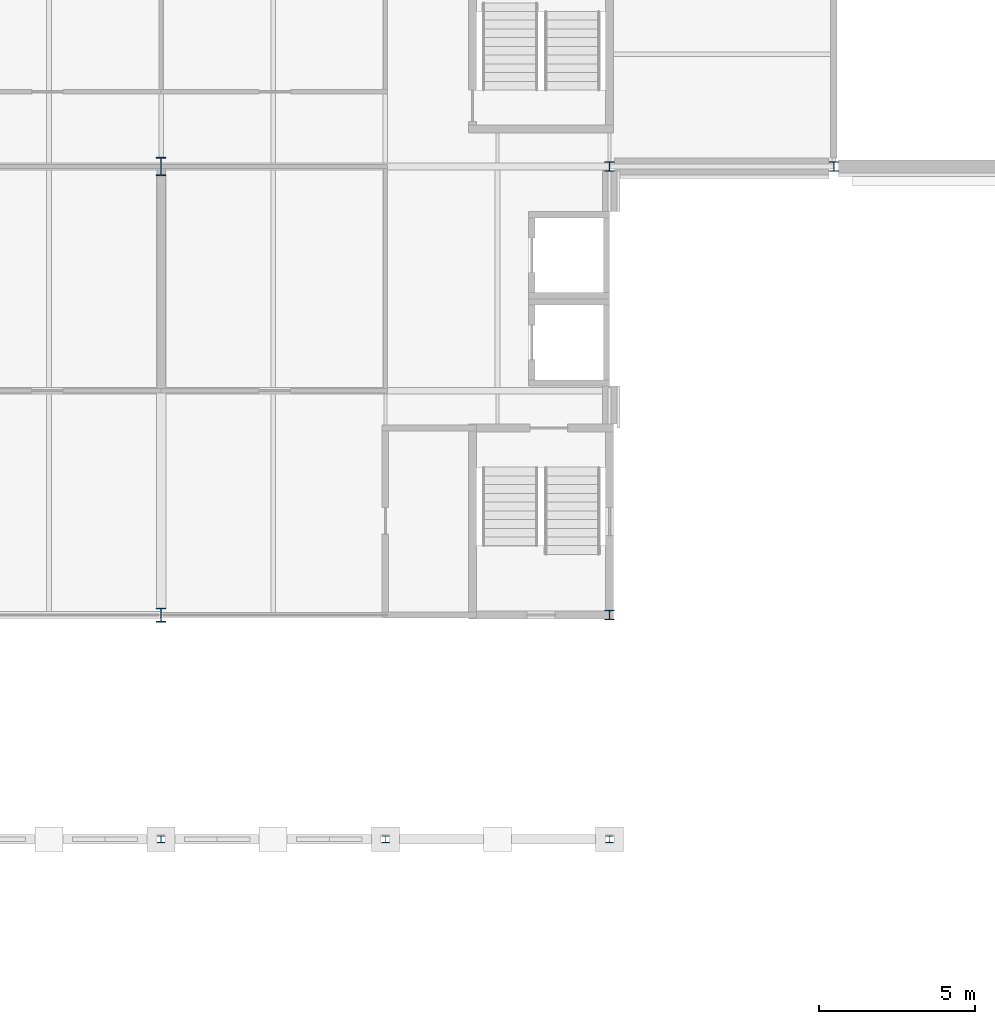
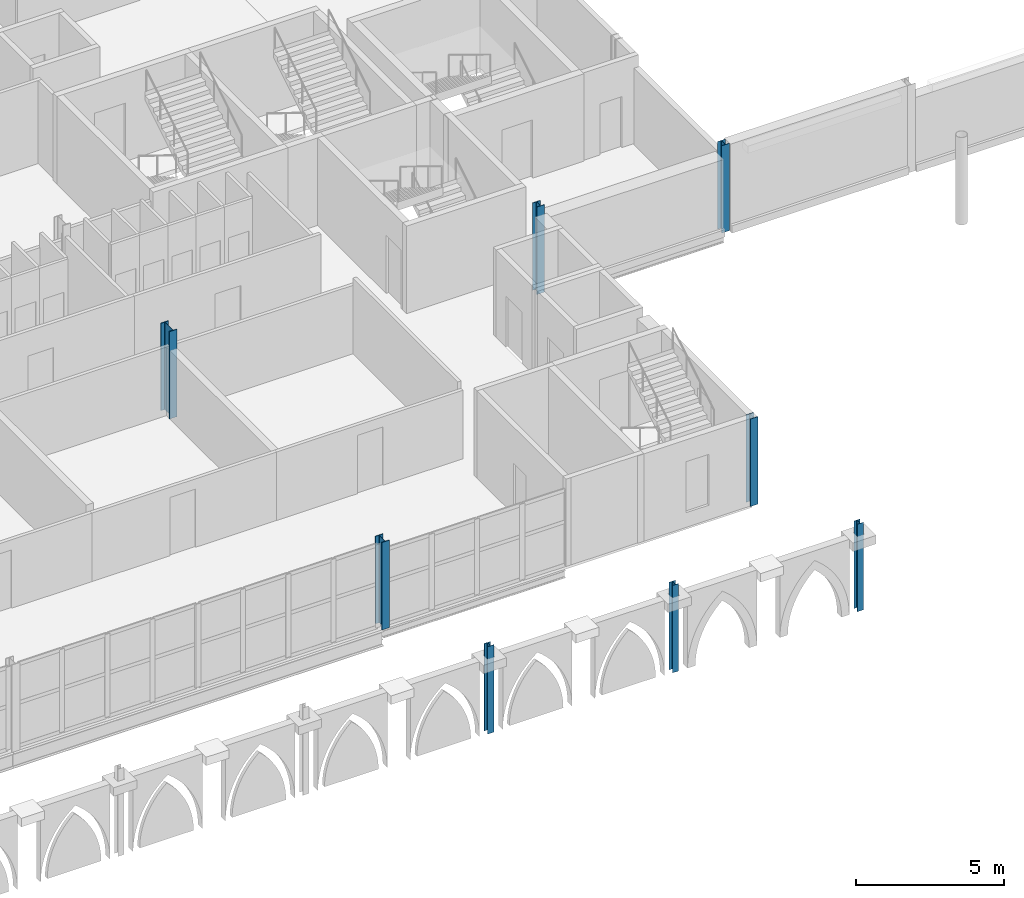
# One storey, part 5 of 90: 8 columns.
"""IFC4 building model written with IfcOpenShell, lengths in metres."""

import ifcopenshell
import ifcopenshell.guid

model = None  # the IFC model being written
_history = None  # IfcOwnerHistory: only IFC2X3 demands one
_inside = {}  # id of a spatial element -> (the spatial element, [elements in it])
_under = {}  # id of a project, library or spatial element -> (it, [spatial elements below it])
_declared = {}  # id of a project -> (the project, [libraries it declares])
_typed = {}  # id of a type object -> (the type object, [elements of that type])
_made_of = {}  # id of a material, layer set ... -> (it, [elements and type objects made of it])


def new_model(schema):
    """Start an empty IFC model of exactly this schema.

    Asked for "IFC4X3", IfcOpenShell would pick the latest addendum, in which some entities
    have other attributes; the version numbers below select the first issue.
    IFC2X3 requires an IfcOwnerHistory on every rooted entity: one is made here for all.
    """
    global model, _history
    if schema == "IFC4X3":
        model = ifcopenshell.file(schema_version=(4, 3, 0, 0))
    else:
        model = ifcopenshell.file(schema=schema)
    _inside.clear()
    _under.clear()
    _declared.clear()
    _typed.clear()
    _made_of.clear()
    _history = None
    if model.schema == "IFC2X3":
        org = make("IfcOrganization", Name="unknown")
        user = make(
            "IfcPersonAndOrganization",
            ThePerson=make("IfcPerson", FamilyName="unknown"),
            TheOrganization=org,
        )
        app = make(
            "IfcApplication",
            ApplicationDeveloper=org,
            Version="unknown",
            ApplicationFullName="unknown",
            ApplicationIdentifier="unknown",
        )
        _history = make(
            "IfcOwnerHistory",
            OwningUser=user,
            OwningApplication=app,
            ChangeAction="ADDED",
            CreationDate=0,
        )
    return model


def make(cls, **values):
    """One entity of the class cls with the attributes given. An attribute that is None is left unset."""
    return model.create_entity(
        cls, **{name: value for name, value in values.items() if value is not None}
    )


def rooted(cls, **values):
    """An entity with a GlobalId (a new one), such as an element, a storey or a relation."""
    return make(cls, GlobalId=ifcopenshell.guid.new(), OwnerHistory=_history, **values)


def si_unit(unit_type, name, prefix=None):
    """IfcSIUnit, for example si_unit("LENGTHUNIT", "METRE", prefix="MILLI")."""
    return make("IfcSIUnit", UnitType=unit_type, Prefix=prefix, Name=name)


def assignment(units):
    """IfcUnitAssignment: the units of a project."""
    return None if units is None else make("IfcUnitAssignment", Units=units)


def point(xyz):
    """IfcCartesianPoint."""
    return None if xyz is None else make("IfcCartesianPoint", Coordinates=xyz)


def direction(xyz):
    """IfcDirection."""
    return None if xyz is None else make("IfcDirection", DirectionRatios=xyz)


def frame(location, z_axis=None, x_axis=None):
    """IfcAxis2Placement3D, a coordinate frame: its origin and axes. An axis left out is left unset."""
    return make(
        "IfcAxis2Placement3D",
        Location=point(location),
        Axis=direction(z_axis),
        RefDirection=direction(x_axis),
    )


def frame_2d(location, x_axis=None):
    """IfcAxis2Placement2D, a coordinate frame in the plane: its origin and x axis."""
    return make(
        "IfcAxis2Placement2D", Location=point(location), RefDirection=direction(x_axis)
    )


def origin():
    """The frame at (0, 0, 0) with its axes left unset."""
    return frame((0.0, 0.0, 0.0))


def origin_2d():
    """The frame at (0, 0) in the plane with its x axis left unset."""
    return frame_2d((0.0, 0.0))


def place(relative_to, where):
    """IfcLocalPlacement: puts the frame where relative to a parent placement (None: the world)."""
    return make(
        "IfcLocalPlacement", PlacementRelTo=relative_to, RelativePlacement=where
    )


def context(
    kind, dimensions, precision=None, world=None, true_north=None, identifier=None
):
    """IfcGeometricRepresentationContext, for example the 3D "Model" context."""
    return make(
        "IfcGeometricRepresentationContext",
        ContextIdentifier=identifier,
        ContextType=kind,
        CoordinateSpaceDimension=dimensions,
        Precision=precision,
        WorldCoordinateSystem=world,
        TrueNorth=true_north,
    )


def subcontext(parent, identifier, kind, view, scale=None):
    """IfcGeometricRepresentationSubContext, for example "Body" below "Model"."""
    return make(
        "IfcGeometricRepresentationSubContext",
        ContextIdentifier=identifier,
        ContextType=kind,
        ParentContext=parent,
        TargetScale=scale,
        TargetView=view,
    )


def project(units=None, contexts=None):
    """IfcProject with its units and contexts."""
    return rooted(
        "IfcProject",
        Name="project",
        RepresentationContexts=contexts,
        UnitsInContext=assignment(units),
    )


def spatial(cls, under=None, at=None, **own):
    """A site, building, storey or space (cls), placed at a placement, below another one or the project."""
    s = rooted(cls, ObjectPlacement=at, **own)
    if under is not None:
        _under.setdefault(under.id(), (under, []))[1].append(s)
    return s


def profile(cls, at=None, kind="AREA", **sizes):
    """A parametric profile (cls). Its sizes go by their IFC names, for example OverallWidth=200.0."""
    return make(cls, ProfileType=kind, Position=at, **sizes)


def i_section(**sizes):
    """IfcIShapeProfileDef."""
    return profile("IfcIShapeProfileDef", **sizes)


def extrude(swept, where, along, depth):
    """IfcExtrudedAreaSolid: the profile swept, set in the frame where, extruded along a direction by depth."""
    return make(
        "IfcExtrudedAreaSolid",
        SweptArea=swept,
        Position=where,
        ExtrudedDirection=direction(along),
        Depth=depth,
    )


def shape(context_of_items, identifier, shape_type, items):
    """IfcShapeRepresentation: the items that make up one representation, for example the "Body"."""
    return make(
        "IfcShapeRepresentation",
        ContextOfItems=context_of_items,
        RepresentationIdentifier=identifier,
        RepresentationType=shape_type,
        Items=items,
    )


def material(Name=None, Category=None):
    """IfcMaterial."""
    return make("IfcMaterial", Name=Name, Category=Category)


def material_profile(
    of_material, cross_section, Name=None, Category=None, Priority=None
):
    """IfcMaterialProfile: a cross section and its material."""
    return make(
        "IfcMaterialProfile",
        Name=Name,
        Material=of_material,
        Profile=cross_section,
        Priority=Priority,
        Category=Category,
    )


def profile_set(profiles, Name=None, composite=None):
    """IfcMaterialProfileSet."""
    return make(
        "IfcMaterialProfileSet",
        Name=Name,
        MaterialProfiles=profiles,
        CompositeProfile=composite,
    )


def made_of(thing, what):
    """Note that an element or type object is made of a material, layer set ...; save() writes the relation."""
    if what is not None:
        _made_of.setdefault(what.id(), (what, []))[1].append(thing)
    return thing


def type_object(cls, material=None, **own):
    """A type object (cls), such as IfcWallType, which elements share."""
    return made_of(rooted(cls, **own), material)


def element(
    cls,
    number,
    at=None,
    inside=None,
    cuts=None,
    type_object=None,
    material=None,
    context=None,
    identifier="Body",
    shape_type=None,
    held_by="IfcProductDefinitionShape",
    body=None,
    shapes=None,
    **own,
):
    """One element of the class cls, such as IfcWall. Its Tag is "e" and its number.

    at: its placement. inside: the storey or other place that contains it. cuts: it is an
    opening in that element (IfcRelVoidsElement). A single representation is given by context,
    identifier, shape_type and body (its items); several are given by shapes. held_by: the class
    of the entity that holds the representations. save() writes the other relations.
    """
    e = rooted(cls, Tag="e%d" % number, ObjectPlacement=at, **own)
    if body is not None:
        shapes = [shape(context, identifier, shape_type, body)]
    if shapes is not None:
        e.Representation = make(held_by, Representations=shapes)
    if inside is not None:
        _inside.setdefault(inside.id(), (inside, []))[1].append(e)
    if cuts is not None:
        rooted(
            "IfcRelVoidsElement", RelatingBuildingElement=cuts, RelatedOpeningElement=e
        )
    if type_object is not None:
        _typed.setdefault(type_object.id(), (type_object, []))[1].append(e)
    return made_of(e, material)


def aggregate(whole, parts):
    """IfcRelAggregates: a whole, such as a stair, and the parts it consists of."""
    return rooted("IfcRelAggregates", RelatingObject=whole, RelatedObjects=parts)


def save(model, path):
    """Write the relations noted so far, then the file.

    IfcRelAggregates (storeys below a building ...), IfcRelContainedInSpatialStructure (elements
    in a storey), IfcRelDefinesByType, IfcRelAssociatesMaterial and IfcRelDeclares: one each for
    every whole, place, type object, material and project.
    """
    for whole, parts in _under.values():
        aggregate(whole, parts)
    for where, things in _inside.values():
        rooted(
            "IfcRelContainedInSpatialStructure",
            RelatedElements=things,
            RelatingStructure=where,
        )
    for kind, things in _typed.values():
        rooted("IfcRelDefinesByType", RelatedObjects=things, RelatingType=kind)
    for what, things in _made_of.values():
        rooted("IfcRelAssociatesMaterial", RelatedObjects=things, RelatingMaterial=what)
    for by, libraries in _declared.values():
        rooted("IfcRelDeclares", RelatingContext=by, RelatedDefinitions=libraries)
    model.write(path)


model = new_model("IFC4")

# Units and contexts
model_context = context("Model", 3, precision=1e-05, world=origin(), true_north=direction((0.0, 1.0)))
body_context = subcontext(model_context, "Body", "Model", "MODEL_VIEW")
ifc_project = project(units=[si_unit("LENGTHUNIT", "METRE"), si_unit("AREAUNIT", "SQUARE_METRE"), si_unit("VOLUMEUNIT", "CUBIC_METRE"), si_unit("PLANEANGLEUNIT", "RADIAN"), si_unit("MASSUNIT", "GRAM", prefix="KILO")], contexts=[model_context])

# Site, building, storey
site_placement = place(None, origin())
site = spatial("IfcSite", under=ifc_project, at=site_placement, CompositionType="ELEMENT")
building_placement = place(site_placement, origin())
building = spatial("IfcBuilding", under=site, at=building_placement, Name="Kupolbacken Congress Centre", CompositionType="ELEMENT")
storey_placement = place(building_placement, frame((0.0, 0.0, 3.60009765625)))
storey = spatial("IfcBuildingStorey", under=building, at=storey_placement, Name="L01", CompositionType="ELEMENT", Elevation=3.60009765625)

# Columns
ifc_material_1 = material(Name="Steel S355", Category="steel")
ifc_material_profile_1 = material_profile(ifc_material_1, i_section(OverallWidth=0.300048828125, OverallDepth=0.449951171875, WebThickness=0.013916015625, FlangeThickness=0.02587890625, FilletRadius=0.027099609375, at=origin_2d()), Name="HEB 450")
ifc_profile_set_1 = profile_set([ifc_material_profile_1], Name="Steel S355")
column_type_1 = type_object("IfcColumnType", Name="C03 column HEB 450", PredefinedType="COLUMN", material=ifc_profile_set_1)
column_1_placement = place(storey_placement, frame((64.800048828125, 28.800048828125, 0.0), z_axis=(0.0, 0.0, 1.0), x_axis=(1.0, 0.0, 0.0)))
element("IfcColumn", 1, at=column_1_placement, inside=storey, type_object=column_type_1, Name="S/col/C-F-10E/L01", PredefinedType="COLUMN", context=body_context, shape_type="SweptSolid", body=[
    extrude(i_section(OverallWidth=0.300048828125, OverallDepth=0.449951171875, WebThickness=0.013916015625, FlangeThickness=0.02587890625, FilletRadius=0.027099609375, at=origin_2d()), origin(), (0.0, 0.0, 1.0), 3.599853515625),
])
ifc_material_2 = material(Name="Steel S355", Category="steel")
ifc_material_profile_2 = material_profile(ifc_material_2, i_section(OverallWidth=0.300048828125, OverallDepth=0.60009765625, WebThickness=0.015380859375, FlangeThickness=0.030029296875, FilletRadius=0.027099609375, at=origin_2d()), Name="HEB 600")
ifc_profile_set_2 = profile_set([ifc_material_profile_2], Name="Steel S355")
column_type_2 = type_object("IfcColumnType", Name="C05 column HEB 600", PredefinedType="COLUMN", material=ifc_profile_set_2)
column_2_placement = place(storey_placement, frame((64.800048828125, 43.199951171875, 0.0), z_axis=(0.0, 0.0, 1.0), x_axis=(1.0, 0.0, 0.0)))
element("IfcColumn", 2, at=column_2_placement, inside=storey, type_object=column_type_2, Name="S/col/C-F-10G/L01", PredefinedType="COLUMN", context=body_context, shape_type="SweptSolid", body=[
    extrude(i_section(OverallWidth=0.300048828125, OverallDepth=0.60009765625, WebThickness=0.015380859375, FlangeThickness=0.030029296875, FilletRadius=0.027099609375, at=origin_2d()), origin(), (0.0, 0.0, 1.0), 3.599853515625),
])
ifc_material_3 = material(Name="Steel S355", Category="steel")
ifc_material_profile_3 = material_profile(ifc_material_3, i_section(OverallWidth=0.300048828125, OverallDepth=0.300048828125, WebThickness=0.010986328125, FlangeThickness=0.01904296875, FilletRadius=0.027099609375, at=origin_2d()), Name="HEB 300")
ifc_profile_set_3 = profile_set([ifc_material_profile_3], Name="Steel S355")
column_type_3 = type_object("IfcColumnType", Name="C06 column HEB 300", PredefinedType="COLUMN", material=ifc_profile_set_3)
for number, where, z_axis, x_axis, name in (
    (3, (79.199951171875, 28.800048828125, 0.0), (0.0, 0.0, 1.0), (1.0, 0.0, 0.0), "S/col/C-F-12E/L01"),
    (4, (79.199951171875, 43.199951171875, 0.0), (0.0, 0.0, 1.0), (1.0, 0.0, 0.0), "S/col/C-F-12G/L01"),
):
    element("IfcColumn", number, at=place(storey_placement, frame(where, z_axis=z_axis, x_axis=x_axis)), inside=storey, type_object=column_type_3, Name=name, PredefinedType="COLUMN", context=body_context, shape_type="SweptSolid", body=[
        extrude(i_section(OverallWidth=0.300048828125, OverallDepth=0.300048828125, WebThickness=0.010986328125, FlangeThickness=0.01904296875, FilletRadius=0.027099609375, at=origin_2d()), origin(), (0.0, 0.0, 1.0), 3.599853515625),
    ])
ifc_material_4 = material(Name="Steel S355", Category="steel")
ifc_material_profile_4 = material_profile(ifc_material_4, i_section(OverallWidth=0.300048828125, OverallDepth=0.2900390625, WebThickness=0.008544921875, FlangeThickness=0.013916015625, FilletRadius=0.027099609375, at=origin_2d()), Name="HEA 300")
ifc_profile_set_4 = profile_set([ifc_material_profile_4], Name="Steel S355")
column_type_4 = type_object("IfcColumnType", Name="C09 column HEA 300", PredefinedType="COLUMN", material=ifc_profile_set_4)
column_3_placement = place(storey_placement, frame((86.39990234375, 43.199951171875, 0.0), z_axis=(0.0, 0.0, 1.0), x_axis=(1.0, 0.0, 0.0)))
element("IfcColumn", 5, at=column_3_placement, inside=storey, type_object=column_type_4, Name="S/col/C-H-PW01/L01", PredefinedType="COLUMN", context=body_context, shape_type="SweptSolid", body=[
    extrude(i_section(OverallWidth=0.300048828125, OverallDepth=0.2900390625, WebThickness=0.008544921875, FlangeThickness=0.013916015625, FilletRadius=0.027099609375, at=origin_2d()), origin(), (0.0, 0.0, 1.0), 3.599853515625),
])
ifc_material_5 = material(Name="Steel S355", Category="steel")
ifc_material_profile_5 = material_profile(ifc_material_5, i_section(OverallWidth=0.239990234375, OverallDepth=0.22998046875, WebThickness=0.007568359375, FlangeThickness=0.011962890625, FilletRadius=0.02099609375, at=origin_2d()), Name="HEA 240")
ifc_profile_set_5 = profile_set([ifc_material_profile_5], Name="Steel S355")
column_type_5 = type_object("IfcColumnType", Name="C10 column HEA 240", PredefinedType="COLUMN", material=ifc_profile_set_5)
for number, where, z_axis, x_axis, name in (
    (6, (64.800048828125, 21.60009765625, 0.0), (0.0, 0.0, 1.0), (1.0, 0.0, 0.0), "S/col/C-AR-10/L01"),
    (7, (72.0, 21.60009765625, 0.0), (0.0, 0.0, 1.0), (1.0, 0.0, 0.0), "S/col/C-AR-11/L01"),
    (8, (79.199951171875, 21.60009765625, 0.0), (0.0, 0.0, 1.0), (1.0, 0.0, 0.0), "S/col/C-AR-12/L01"),
):
    element("IfcColumn", number, at=place(storey_placement, frame(where, z_axis=z_axis, x_axis=x_axis)), inside=storey, type_object=column_type_5, Name=name, PredefinedType="COLUMN", context=body_context, shape_type="SweptSolid", body=[
        extrude(i_section(OverallWidth=0.239990234375, OverallDepth=0.22998046875, WebThickness=0.007568359375, FlangeThickness=0.011962890625, FilletRadius=0.02099609375, at=origin_2d()), origin(), (0.0, 0.0, 1.0), 3.599853515625),
    ])

save(model, "model.ifc")
